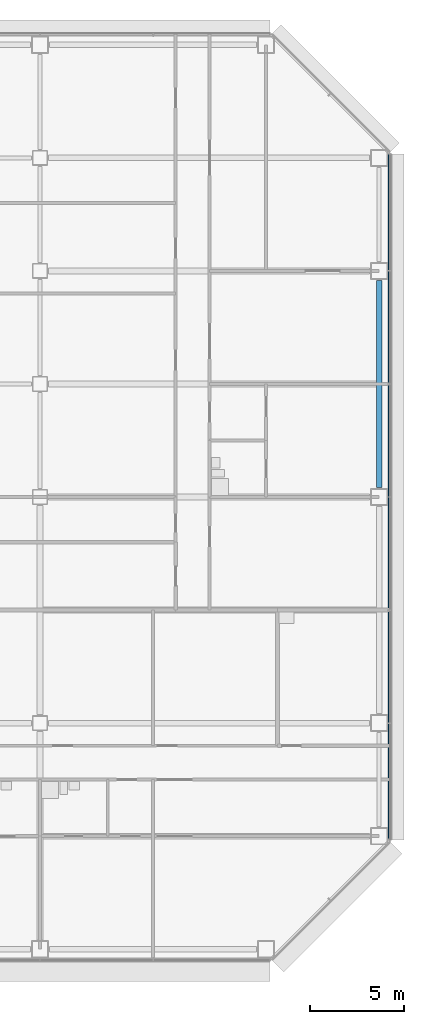
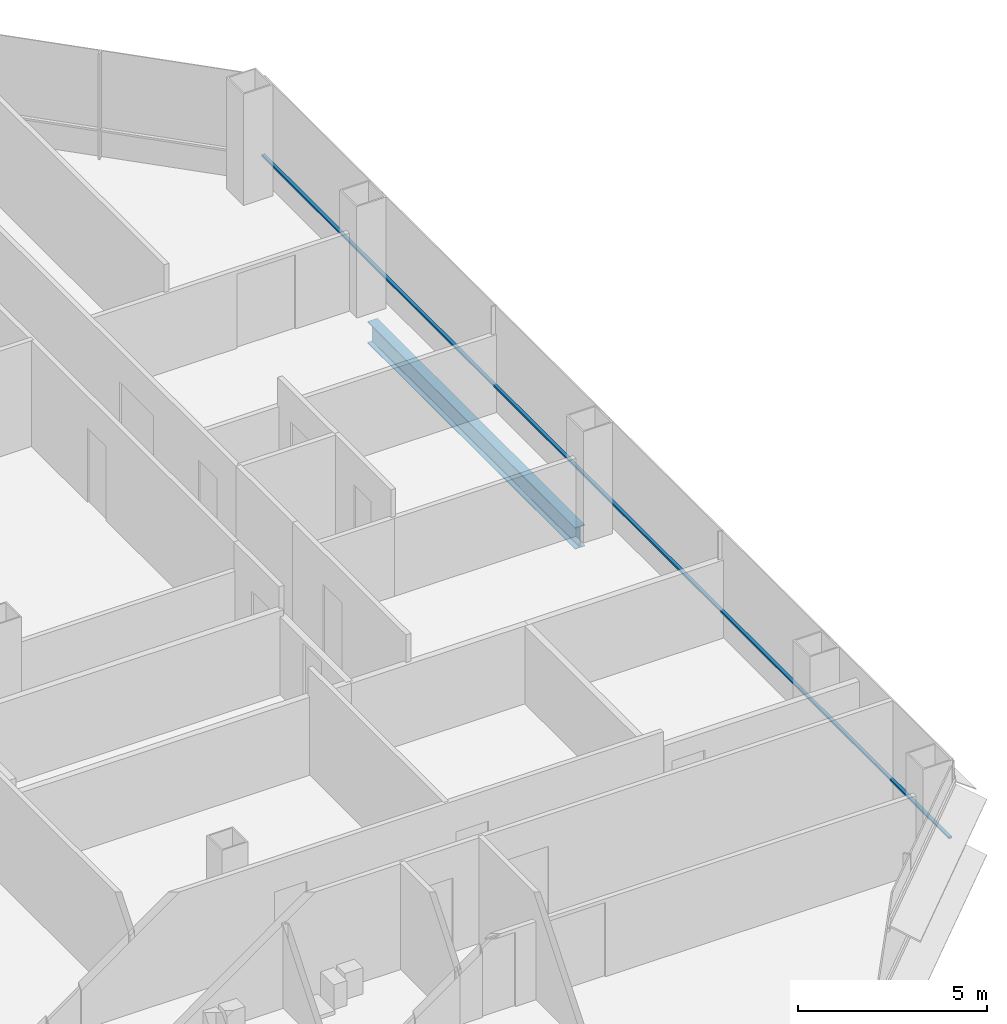
# One storey, part 17 of 27: 1 beam, 1 member, 1 element without a shape of its own.
"""IFC4 building model written with IfcOpenShell, lengths in metres."""

import ifcopenshell
import ifcopenshell.guid

model = None  # the IFC model being written
_history = None  # IfcOwnerHistory: only IFC2X3 demands one
_inside = {}  # id of a spatial element -> (the spatial element, [elements in it])
_under = {}  # id of a project, library or spatial element -> (it, [spatial elements below it])
_declared = {}  # id of a project -> (the project, [libraries it declares])
_typed = {}  # id of a type object -> (the type object, [elements of that type])
_made_of = {}  # id of a material, layer set ... -> (it, [elements and type objects made of it])


def new_model(schema):
    """Start an empty IFC model of exactly this schema.

    Asked for "IFC4X3", IfcOpenShell would pick the latest addendum, in which some entities
    have other attributes; the version numbers below select the first issue.
    IFC2X3 requires an IfcOwnerHistory on every rooted entity: one is made here for all.
    """
    global model, _history
    if schema == "IFC4X3":
        model = ifcopenshell.file(schema_version=(4, 3, 0, 0))
    else:
        model = ifcopenshell.file(schema=schema)
    _inside.clear()
    _under.clear()
    _declared.clear()
    _typed.clear()
    _made_of.clear()
    _history = None
    if model.schema == "IFC2X3":
        org = make("IfcOrganization", Name="unknown")
        user = make(
            "IfcPersonAndOrganization",
            ThePerson=make("IfcPerson", FamilyName="unknown"),
            TheOrganization=org,
        )
        app = make(
            "IfcApplication",
            ApplicationDeveloper=org,
            Version="unknown",
            ApplicationFullName="unknown",
            ApplicationIdentifier="unknown",
        )
        _history = make(
            "IfcOwnerHistory",
            OwningUser=user,
            OwningApplication=app,
            ChangeAction="ADDED",
            CreationDate=0,
        )
    return model


def make(cls, **values):
    """One entity of the class cls with the attributes given. An attribute that is None is left unset."""
    return model.create_entity(
        cls, **{name: value for name, value in values.items() if value is not None}
    )


def rooted(cls, **values):
    """An entity with a GlobalId (a new one), such as an element, a storey or a relation."""
    return make(cls, GlobalId=ifcopenshell.guid.new(), OwnerHistory=_history, **values)


def si_unit(unit_type, name, prefix=None):
    """IfcSIUnit, for example si_unit("LENGTHUNIT", "METRE", prefix="MILLI")."""
    return make("IfcSIUnit", UnitType=unit_type, Prefix=prefix, Name=name)


def assignment(units):
    """IfcUnitAssignment: the units of a project."""
    return None if units is None else make("IfcUnitAssignment", Units=units)


def point(xyz):
    """IfcCartesianPoint."""
    return None if xyz is None else make("IfcCartesianPoint", Coordinates=xyz)


def direction(xyz):
    """IfcDirection."""
    return None if xyz is None else make("IfcDirection", DirectionRatios=xyz)


def frame(location, z_axis=None, x_axis=None):
    """IfcAxis2Placement3D, a coordinate frame: its origin and axes. An axis left out is left unset."""
    return make(
        "IfcAxis2Placement3D",
        Location=point(location),
        Axis=direction(z_axis),
        RefDirection=direction(x_axis),
    )


def frame_2d(location, x_axis=None):
    """IfcAxis2Placement2D, a coordinate frame in the plane: its origin and x axis."""
    return make(
        "IfcAxis2Placement2D", Location=point(location), RefDirection=direction(x_axis)
    )


def origin():
    """The frame at (0, 0, 0) with its axes left unset."""
    return frame((0.0, 0.0, 0.0))


def origin_2d():
    """The frame at (0, 0) in the plane with its x axis left unset."""
    return frame_2d((0.0, 0.0))


def place(relative_to, where):
    """IfcLocalPlacement: puts the frame where relative to a parent placement (None: the world)."""
    return make(
        "IfcLocalPlacement", PlacementRelTo=relative_to, RelativePlacement=where
    )


def context(
    kind, dimensions, precision=None, world=None, true_north=None, identifier=None
):
    """IfcGeometricRepresentationContext, for example the 3D "Model" context."""
    return make(
        "IfcGeometricRepresentationContext",
        ContextIdentifier=identifier,
        ContextType=kind,
        CoordinateSpaceDimension=dimensions,
        Precision=precision,
        WorldCoordinateSystem=world,
        TrueNorth=true_north,
    )


def subcontext(parent, identifier, kind, view, scale=None):
    """IfcGeometricRepresentationSubContext, for example "Body" below "Model"."""
    return make(
        "IfcGeometricRepresentationSubContext",
        ContextIdentifier=identifier,
        ContextType=kind,
        ParentContext=parent,
        TargetScale=scale,
        TargetView=view,
    )


def project(units=None, contexts=None):
    """IfcProject with its units and contexts."""
    return rooted(
        "IfcProject",
        Name="project",
        RepresentationContexts=contexts,
        UnitsInContext=assignment(units),
    )


def spatial(cls, under=None, at=None, **own):
    """A site, building, storey or space (cls), placed at a placement, below another one or the project."""
    s = rooted(cls, ObjectPlacement=at, **own)
    if under is not None:
        _under.setdefault(under.id(), (under, []))[1].append(s)
    return s


def profile(cls, at=None, kind="AREA", **sizes):
    """A parametric profile (cls). Its sizes go by their IFC names, for example OverallWidth=200.0."""
    return make(cls, ProfileType=kind, Position=at, **sizes)


def rectangle(**sizes):
    """IfcRectangleProfileDef."""
    return profile("IfcRectangleProfileDef", **sizes)


def i_section(**sizes):
    """IfcIShapeProfileDef."""
    return profile("IfcIShapeProfileDef", **sizes)


def extrude(swept, where, along, depth):
    """IfcExtrudedAreaSolid: the profile swept, set in the frame where, extruded along a direction by depth."""
    return make(
        "IfcExtrudedAreaSolid",
        SweptArea=swept,
        Position=where,
        ExtrudedDirection=direction(along),
        Depth=depth,
    )


def shape(context_of_items, identifier, shape_type, items):
    """IfcShapeRepresentation: the items that make up one representation, for example the "Body"."""
    return make(
        "IfcShapeRepresentation",
        ContextOfItems=context_of_items,
        RepresentationIdentifier=identifier,
        RepresentationType=shape_type,
        Items=items,
    )


def material(Name=None, Category=None):
    """IfcMaterial."""
    return make("IfcMaterial", Name=Name, Category=Category)


def material_profile(
    of_material, cross_section, Name=None, Category=None, Priority=None
):
    """IfcMaterialProfile: a cross section and its material."""
    return make(
        "IfcMaterialProfile",
        Name=Name,
        Material=of_material,
        Profile=cross_section,
        Priority=Priority,
        Category=Category,
    )


def profile_set(profiles, Name=None, composite=None):
    """IfcMaterialProfileSet."""
    return make(
        "IfcMaterialProfileSet",
        Name=Name,
        MaterialProfiles=profiles,
        CompositeProfile=composite,
    )


def made_of(thing, what):
    """Note that an element or type object is made of a material, layer set ...; save() writes the relation."""
    if what is not None:
        _made_of.setdefault(what.id(), (what, []))[1].append(thing)
    return thing


def type_object(cls, material=None, **own):
    """A type object (cls), such as IfcWallType, which elements share."""
    return made_of(rooted(cls, **own), material)


def element(
    cls,
    number,
    at=None,
    inside=None,
    cuts=None,
    type_object=None,
    material=None,
    context=None,
    identifier="Body",
    shape_type=None,
    held_by="IfcProductDefinitionShape",
    body=None,
    shapes=None,
    **own,
):
    """One element of the class cls, such as IfcWall. Its Tag is "e" and its number.

    at: its placement. inside: the storey or other place that contains it. cuts: it is an
    opening in that element (IfcRelVoidsElement). A single representation is given by context,
    identifier, shape_type and body (its items); several are given by shapes. held_by: the class
    of the entity that holds the representations. save() writes the other relations.
    """
    e = rooted(cls, Tag="e%d" % number, ObjectPlacement=at, **own)
    if body is not None:
        shapes = [shape(context, identifier, shape_type, body)]
    if shapes is not None:
        e.Representation = make(held_by, Representations=shapes)
    if inside is not None:
        _inside.setdefault(inside.id(), (inside, []))[1].append(e)
    if cuts is not None:
        rooted(
            "IfcRelVoidsElement", RelatingBuildingElement=cuts, RelatedOpeningElement=e
        )
    if type_object is not None:
        _typed.setdefault(type_object.id(), (type_object, []))[1].append(e)
    return made_of(e, material)


def aggregate(whole, parts):
    """IfcRelAggregates: a whole, such as a stair, and the parts it consists of."""
    return rooted("IfcRelAggregates", RelatingObject=whole, RelatedObjects=parts)


def save(model, path):
    """Write the relations noted so far, then the file.

    IfcRelAggregates (storeys below a building ...), IfcRelContainedInSpatialStructure (elements
    in a storey), IfcRelDefinesByType, IfcRelAssociatesMaterial and IfcRelDeclares: one each for
    every whole, place, type object, material and project.
    """
    for whole, parts in _under.values():
        aggregate(whole, parts)
    for where, things in _inside.values():
        rooted(
            "IfcRelContainedInSpatialStructure",
            RelatedElements=things,
            RelatingStructure=where,
        )
    for kind, things in _typed.values():
        rooted("IfcRelDefinesByType", RelatedObjects=things, RelatingType=kind)
    for what, things in _made_of.values():
        rooted("IfcRelAssociatesMaterial", RelatedObjects=things, RelatingMaterial=what)
    for by, libraries in _declared.values():
        rooted("IfcRelDeclares", RelatingContext=by, RelatedDefinitions=libraries)
    model.write(path)


model = new_model("IFC4")

# Units and contexts
model_context = context("Model", 3, precision=1e-05, world=origin(), true_north=direction((0.0, 1.0)))
body_context = subcontext(model_context, "Body", "Model", "MODEL_VIEW")
ifc_project = project(units=[si_unit("LENGTHUNIT", "METRE"), si_unit("AREAUNIT", "SQUARE_METRE"), si_unit("VOLUMEUNIT", "CUBIC_METRE"), si_unit("PLANEANGLEUNIT", "RADIAN"), si_unit("MASSUNIT", "GRAM", prefix="KILO")], contexts=[model_context])

# Site, building, storey
site_placement = place(None, origin())
site = spatial("IfcSite", under=ifc_project, at=site_placement, CompositionType="ELEMENT")
building_placement = place(site_placement, origin())
building = spatial("IfcBuilding", under=site, at=building_placement, Name="Sorahane Residences", CompositionType="ELEMENT")
storey_placement = place(building_placement, frame((0.0, 0.0, 49.800048828125)))
storey = spatial("IfcBuildingStorey", under=building, at=storey_placement, Name="L08", CompositionType="ELEMENT", Elevation=49.800048828125)

# Curtain wall, member
ifc_material_1 = material(Name="Dark low-e glass and black anodised aluminium", Category="aluminium")
curtain_wall_type = type_object("IfcCurtainWallType", Name="Curtain wall CW-1 Typical unitised wall", PredefinedType="NOTDEFINED", material=ifc_material_1)
curtain_wall_placement = place(storey_placement, origin())
curtain_wall = element("IfcCurtainWall", 1, at=curtain_wall_placement, inside=storey, type_object=curtain_wall_type, Name="CW-1 curtain wall L08 E1", PredefinedType="NOTDEFINED")
ifc_material_2 = material(Name="Black anodised aluminium", Category="aluminium")
ifc_material_profile_1 = material_profile(ifc_material_2, rectangle(XDim=0.10009765625, YDim=0.06005859375, at=origin_2d()), Name="Curtain wall transom CW-1 black anodised aluminium 60x100")
ifc_profile_set_1 = profile_set([ifc_material_profile_1], Name="Black anodised aluminium")
member_type = type_object("IfcMemberType", Name="Curtain wall transom CW-1 black anodised aluminium 60x100", PredefinedType="USERDEFINED", material=ifc_profile_set_1)
member_placement = place(storey_placement, frame((66.530029296875, 5.801513671875, 0.89990234375), z_axis=(0.0, 1.0, 0.0), x_axis=(-1.0, 0.0, 0.0)))
member = element("IfcMember", 2, at=member_placement, type_object=member_type, Name="CW-1 transom L08 E1", ObjectType="TRANSOM", PredefinedType="USERDEFINED", context=body_context, shape_type="SweptSolid", body=[
    extrude(rectangle(XDim=0.10009765625, YDim=0.06005859375, at=origin_2d()), origin(), (0.0, 0.0, 1.0), 36.39697265625),
])
aggregate(curtain_wall, [member])

# Beam
ifc_material_3 = material(Name="Steel Q355B", Category="steel")
ifc_material_profile_2 = material_profile(ifc_material_3, i_section(OverallWidth=0.300048828125, OverallDepth=0.699951171875, WebThickness=0.012939453125, FlangeThickness=0.02392578125, FilletRadius=0.028076171875, at=origin_2d()), Name="HN 700x300x13x24")
ifc_profile_set_2 = profile_set([ifc_material_profile_2], Name="Steel Q355B")
beam_type = type_object("IfcBeamType", Name="Steel floor beam HN 700x300x13x24 Q355B", PredefinedType="BEAM", material=ifc_profile_set_2)
beam_placement = place(storey_placement, frame((66.0, 24.5, -0.530029296875), z_axis=(0.0, 1.0, 0.0), x_axis=(-1.0, 0.0, 0.0)))
element("IfcBeam", 3, at=beam_placement, inside=storey, type_object=beam_type, Name="Beam L08 059", PredefinedType="BEAM", context=body_context, shape_type="SweptSolid", body=[
    extrude(i_section(OverallWidth=0.300048828125, OverallDepth=0.699951171875, WebThickness=0.012939453125, FlangeThickness=0.02392578125, FilletRadius=0.028076171875, at=origin_2d()), origin(), (0.0, 0.0, 1.0), 11.0),
])

save(model, "model.ifc")
